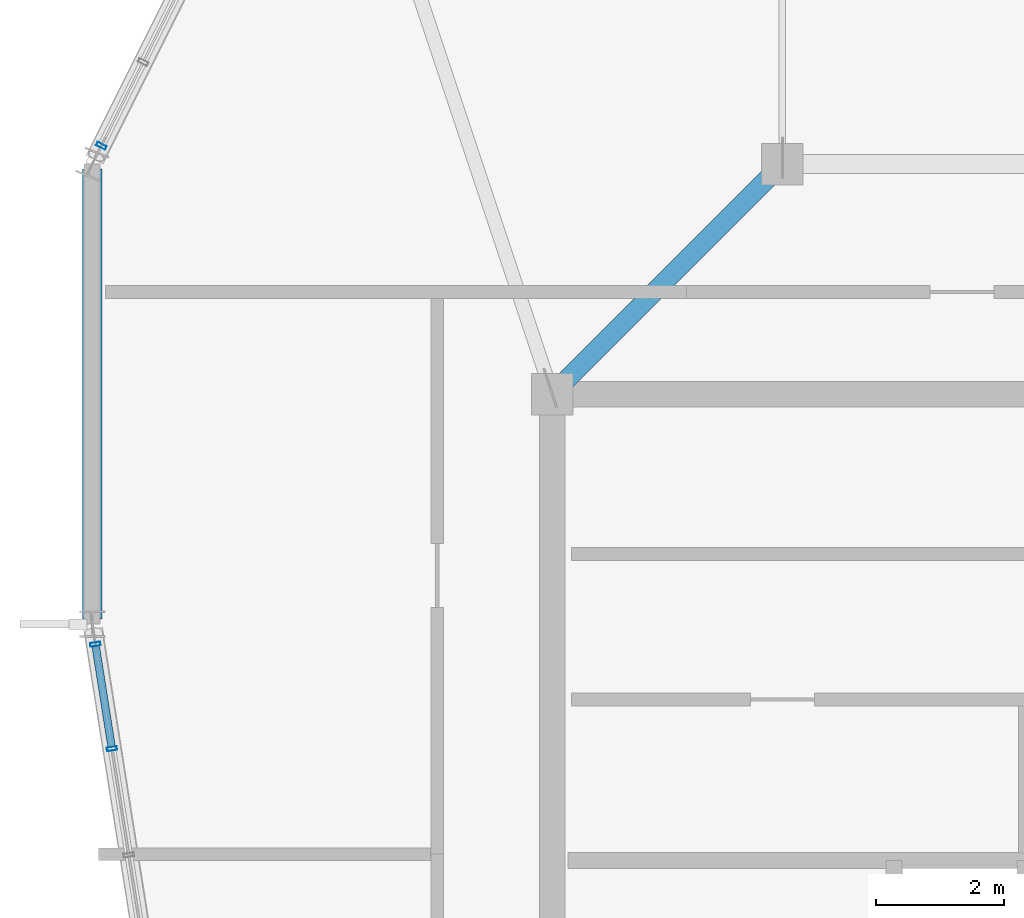
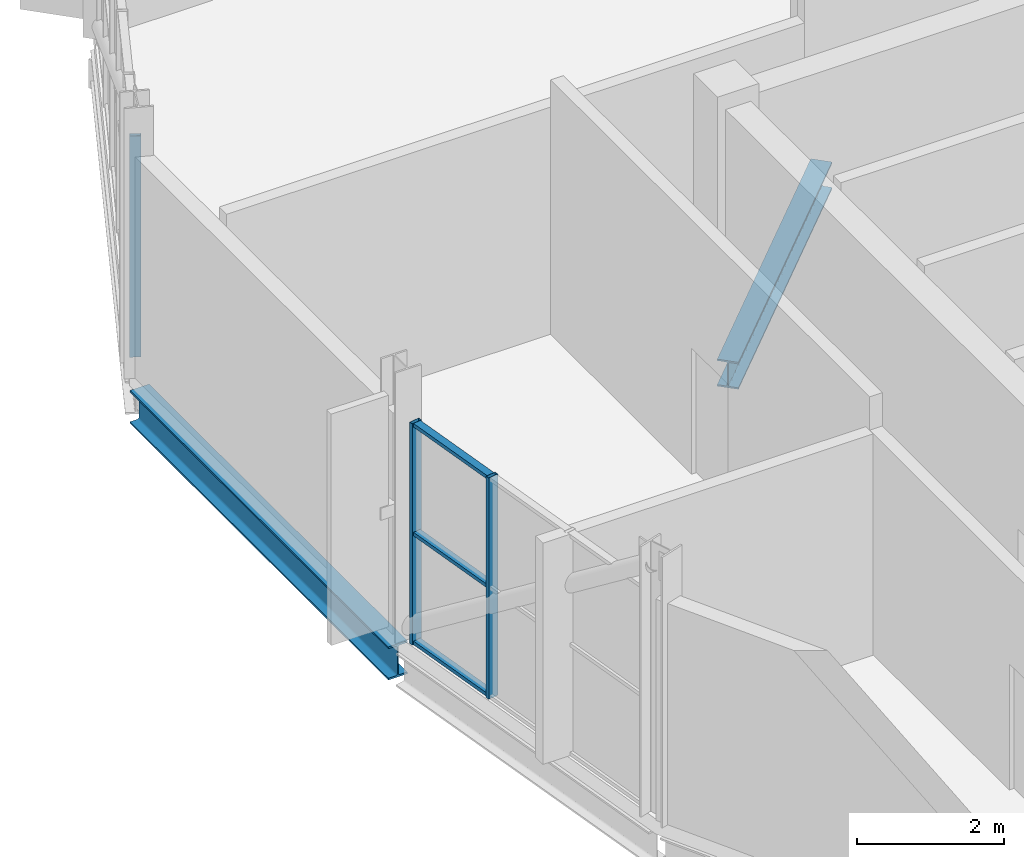
# One storey, part 7 of 22: 6 members, 2 beams, 2 elements without a shape of their own.
"""IFC4 building model written with IfcOpenShell, lengths in metres."""

import ifcopenshell
import ifcopenshell.guid

model = None  # the IFC model being written
_history = None  # IfcOwnerHistory: only IFC2X3 demands one
_inside = {}  # id of a spatial element -> (the spatial element, [elements in it])
_under = {}  # id of a project, library or spatial element -> (it, [spatial elements below it])
_declared = {}  # id of a project -> (the project, [libraries it declares])
_typed = {}  # id of a type object -> (the type object, [elements of that type])
_made_of = {}  # id of a material, layer set ... -> (it, [elements and type objects made of it])


def new_model(schema):
    """Start an empty IFC model of exactly this schema.

    Asked for "IFC4X3", IfcOpenShell would pick the latest addendum, in which some entities
    have other attributes; the version numbers below select the first issue.
    IFC2X3 requires an IfcOwnerHistory on every rooted entity: one is made here for all.
    """
    global model, _history
    if schema == "IFC4X3":
        model = ifcopenshell.file(schema_version=(4, 3, 0, 0))
    else:
        model = ifcopenshell.file(schema=schema)
    _inside.clear()
    _under.clear()
    _declared.clear()
    _typed.clear()
    _made_of.clear()
    _history = None
    if model.schema == "IFC2X3":
        org = make("IfcOrganization", Name="unknown")
        user = make(
            "IfcPersonAndOrganization",
            ThePerson=make("IfcPerson", FamilyName="unknown"),
            TheOrganization=org,
        )
        app = make(
            "IfcApplication",
            ApplicationDeveloper=org,
            Version="unknown",
            ApplicationFullName="unknown",
            ApplicationIdentifier="unknown",
        )
        _history = make(
            "IfcOwnerHistory",
            OwningUser=user,
            OwningApplication=app,
            ChangeAction="ADDED",
            CreationDate=0,
        )
    return model


def make(cls, **values):
    """One entity of the class cls with the attributes given. An attribute that is None is left unset."""
    return model.create_entity(
        cls, **{name: value for name, value in values.items() if value is not None}
    )


def rooted(cls, **values):
    """An entity with a GlobalId (a new one), such as an element, a storey or a relation."""
    return make(cls, GlobalId=ifcopenshell.guid.new(), OwnerHistory=_history, **values)


def si_unit(unit_type, name, prefix=None):
    """IfcSIUnit, for example si_unit("LENGTHUNIT", "METRE", prefix="MILLI")."""
    return make("IfcSIUnit", UnitType=unit_type, Prefix=prefix, Name=name)


def assignment(units):
    """IfcUnitAssignment: the units of a project."""
    return None if units is None else make("IfcUnitAssignment", Units=units)


def point(xyz):
    """IfcCartesianPoint."""
    return None if xyz is None else make("IfcCartesianPoint", Coordinates=xyz)


def direction(xyz):
    """IfcDirection."""
    return None if xyz is None else make("IfcDirection", DirectionRatios=xyz)


def frame(location, z_axis=None, x_axis=None):
    """IfcAxis2Placement3D, a coordinate frame: its origin and axes. An axis left out is left unset."""
    return make(
        "IfcAxis2Placement3D",
        Location=point(location),
        Axis=direction(z_axis),
        RefDirection=direction(x_axis),
    )


def frame_2d(location, x_axis=None):
    """IfcAxis2Placement2D, a coordinate frame in the plane: its origin and x axis."""
    return make(
        "IfcAxis2Placement2D", Location=point(location), RefDirection=direction(x_axis)
    )


def origin():
    """The frame at (0, 0, 0) with its axes left unset."""
    return frame((0.0, 0.0, 0.0))


def origin_2d():
    """The frame at (0, 0) in the plane with its x axis left unset."""
    return frame_2d((0.0, 0.0))


def place(relative_to, where):
    """IfcLocalPlacement: puts the frame where relative to a parent placement (None: the world)."""
    return make(
        "IfcLocalPlacement", PlacementRelTo=relative_to, RelativePlacement=where
    )


def context(
    kind, dimensions, precision=None, world=None, true_north=None, identifier=None
):
    """IfcGeometricRepresentationContext, for example the 3D "Model" context."""
    return make(
        "IfcGeometricRepresentationContext",
        ContextIdentifier=identifier,
        ContextType=kind,
        CoordinateSpaceDimension=dimensions,
        Precision=precision,
        WorldCoordinateSystem=world,
        TrueNorth=true_north,
    )


def subcontext(parent, identifier, kind, view, scale=None):
    """IfcGeometricRepresentationSubContext, for example "Body" below "Model"."""
    return make(
        "IfcGeometricRepresentationSubContext",
        ContextIdentifier=identifier,
        ContextType=kind,
        ParentContext=parent,
        TargetScale=scale,
        TargetView=view,
    )


def project(units=None, contexts=None):
    """IfcProject with its units and contexts."""
    return rooted(
        "IfcProject",
        Name="project",
        RepresentationContexts=contexts,
        UnitsInContext=assignment(units),
    )


def spatial(cls, under=None, at=None, **own):
    """A site, building, storey or space (cls), placed at a placement, below another one or the project."""
    s = rooted(cls, ObjectPlacement=at, **own)
    if under is not None:
        _under.setdefault(under.id(), (under, []))[1].append(s)
    return s


def profile(cls, at=None, kind="AREA", **sizes):
    """A parametric profile (cls). Its sizes go by their IFC names, for example OverallWidth=200.0."""
    return make(cls, ProfileType=kind, Position=at, **sizes)


def hollow_rectangle(**sizes):
    """IfcRectangleHollowProfileDef."""
    return profile("IfcRectangleHollowProfileDef", **sizes)


def i_section(**sizes):
    """IfcIShapeProfileDef."""
    return profile("IfcIShapeProfileDef", **sizes)


def extrude(swept, where, along, depth):
    """IfcExtrudedAreaSolid: the profile swept, set in the frame where, extruded along a direction by depth."""
    return make(
        "IfcExtrudedAreaSolid",
        SweptArea=swept,
        Position=where,
        ExtrudedDirection=direction(along),
        Depth=depth,
    )


def shape(context_of_items, identifier, shape_type, items):
    """IfcShapeRepresentation: the items that make up one representation, for example the "Body"."""
    return make(
        "IfcShapeRepresentation",
        ContextOfItems=context_of_items,
        RepresentationIdentifier=identifier,
        RepresentationType=shape_type,
        Items=items,
    )


def material(Name=None, Category=None):
    """IfcMaterial."""
    return make("IfcMaterial", Name=Name, Category=Category)


def layer(
    of_material, thickness, ventilated=None, Name=None, Category=None, Priority=None
):
    """IfcMaterialLayer: one layer of a wall or slab, of a material (None: an air gap)."""
    return make(
        "IfcMaterialLayer",
        Material=of_material,
        LayerThickness=thickness,
        IsVentilated=ventilated,
        Name=Name,
        Category=Category,
        Priority=Priority,
    )


def layer_set(layers, Name=None):
    """IfcMaterialLayerSet."""
    return make("IfcMaterialLayerSet", MaterialLayers=layers, LayerSetName=Name)


def material_profile(
    of_material, cross_section, Name=None, Category=None, Priority=None
):
    """IfcMaterialProfile: a cross section and its material."""
    return make(
        "IfcMaterialProfile",
        Name=Name,
        Material=of_material,
        Profile=cross_section,
        Priority=Priority,
        Category=Category,
    )


def profile_set(profiles, Name=None, composite=None):
    """IfcMaterialProfileSet."""
    return make(
        "IfcMaterialProfileSet",
        Name=Name,
        MaterialProfiles=profiles,
        CompositeProfile=composite,
    )


def made_of(thing, what):
    """Note that an element or type object is made of a material, layer set ...; save() writes the relation."""
    if what is not None:
        _made_of.setdefault(what.id(), (what, []))[1].append(thing)
    return thing


def type_object(cls, material=None, **own):
    """A type object (cls), such as IfcWallType, which elements share."""
    return made_of(rooted(cls, **own), material)


def element(
    cls,
    number,
    at=None,
    inside=None,
    cuts=None,
    type_object=None,
    material=None,
    context=None,
    identifier="Body",
    shape_type=None,
    held_by="IfcProductDefinitionShape",
    body=None,
    shapes=None,
    **own,
):
    """One element of the class cls, such as IfcWall. Its Tag is "e" and its number.

    at: its placement. inside: the storey or other place that contains it. cuts: it is an
    opening in that element (IfcRelVoidsElement). A single representation is given by context,
    identifier, shape_type and body (its items); several are given by shapes. held_by: the class
    of the entity that holds the representations. save() writes the other relations.
    """
    e = rooted(cls, Tag="e%d" % number, ObjectPlacement=at, **own)
    if body is not None:
        shapes = [shape(context, identifier, shape_type, body)]
    if shapes is not None:
        e.Representation = make(held_by, Representations=shapes)
    if inside is not None:
        _inside.setdefault(inside.id(), (inside, []))[1].append(e)
    if cuts is not None:
        rooted(
            "IfcRelVoidsElement", RelatingBuildingElement=cuts, RelatedOpeningElement=e
        )
    if type_object is not None:
        _typed.setdefault(type_object.id(), (type_object, []))[1].append(e)
    return made_of(e, material)


def aggregate(whole, parts):
    """IfcRelAggregates: a whole, such as a stair, and the parts it consists of."""
    return rooted("IfcRelAggregates", RelatingObject=whole, RelatedObjects=parts)


def save(model, path):
    """Write the relations noted so far, then the file.

    IfcRelAggregates (storeys below a building ...), IfcRelContainedInSpatialStructure (elements
    in a storey), IfcRelDefinesByType, IfcRelAssociatesMaterial and IfcRelDeclares: one each for
    every whole, place, type object, material and project.
    """
    for whole, parts in _under.values():
        aggregate(whole, parts)
    for where, things in _inside.values():
        rooted(
            "IfcRelContainedInSpatialStructure",
            RelatedElements=things,
            RelatingStructure=where,
        )
    for kind, things in _typed.values():
        rooted("IfcRelDefinesByType", RelatedObjects=things, RelatingType=kind)
    for what, things in _made_of.values():
        rooted("IfcRelAssociatesMaterial", RelatedObjects=things, RelatingMaterial=what)
    for by, libraries in _declared.values():
        rooted("IfcRelDeclares", RelatingContext=by, RelatedDefinitions=libraries)
    model.write(path)


model = new_model("IFC4")

# Units and contexts
model_context = context("Model", 3, precision=1e-05, world=origin(), true_north=direction((0.0, 1.0)))
body_context = subcontext(model_context, "Body", "Model", "MODEL_VIEW")
ifc_project = project(units=[si_unit("LENGTHUNIT", "METRE"), si_unit("AREAUNIT", "SQUARE_METRE"), si_unit("VOLUMEUNIT", "CUBIC_METRE"), si_unit("PLANEANGLEUNIT", "RADIAN"), si_unit("MASSUNIT", "GRAM", prefix="KILO")], contexts=[model_context])

# Site, building, storey
site_placement = place(None, origin())
site = spatial("IfcSite", under=ifc_project, at=site_placement, CompositionType="ELEMENT")
building_placement = place(site_placement, origin())
building = spatial("IfcBuilding", under=site, at=building_placement, Name="Solnavia Interchange Tower", CompositionType="ELEMENT")
storey_placement = place(building_placement, frame((0.0, 0.0, 317.699951171875)))
storey = spatial("IfcBuildingStorey", under=building, at=storey_placement, Name="C04", CompositionType="ELEMENT", Elevation=317.699951171875)

# Beam
ifc_material_1 = material(Name="Steel S460", Category="steel")
ifc_material_profile_1 = material_profile(ifc_material_1, i_section(OverallWidth=0.300048828125, OverallDepth=0.449951171875, WebThickness=0.013916015625, FlangeThickness=0.02587890625, FilletRadius=0.027099609375, at=origin_2d()), Name="HEB 450")
ifc_profile_set_1 = profile_set([ifc_material_profile_1], Name="Steel S460")
beam_type_1 = type_object("IfcBeamType", Name="Beam-Girder-HEB450", PredefinedType="BEAM", material=ifc_profile_set_1)
beam_1_placement = place(storey_placement, frame((17.943359375, 28.743408203125, -0.474853515625), z_axis=(-0.707106781187, -0.707106781187, 0.0), x_axis=(0.707106781187, -0.707106781187, 0.0)))
element("IfcBeam", 1, at=beam_1_placement, inside=storey, type_object=beam_type_1, Name="GRD-C04-CI04 Crown inner ring girder", PredefinedType="BEAM", context=body_context, shape_type="SweptSolid", body=[
    extrude(i_section(OverallWidth=0.300048828125, OverallDepth=0.449951171875, WebThickness=0.013916015625, FlangeThickness=0.02587890625, FilletRadius=0.027099609375, at=origin_2d()), origin(), (0.0, 0.0, 1.0), 4.93115234375),
])

# Curtain wall, member
ifc_material_2 = material(Name="Aluminium Alloy 6063-T6", Category="aluminium")
ifc_layer = layer(ifc_material_2, 0.179931640625)
ifc_layer_set = layer_set([ifc_layer], Name="Aluminium Alloy 6063-T6")
curtain_wall_type = type_object("IfcCurtainWallType", Name="CurtainWall-Crown-CTW6", PredefinedType="NOTDEFINED", material=ifc_layer_set)
curtain_wall_1_placement = place(storey_placement, origin())
curtain_wall_1 = element("IfcCurtainWall", 2, at=curtain_wall_1_placement, inside=storey, type_object=curtain_wall_type, Name="CTW-C04-R07 CTW-6 curtain wall", PredefinedType="NOTDEFINED")
ifc_material_profile_2 = material_profile(ifc_material_2, hollow_rectangle(XDim=0.06005859375, YDim=0.159912109375, WallThickness=0.00390625, at=origin_2d()), Name="ALU 160x60x4")
ifc_profile_set_2 = profile_set([ifc_material_profile_2], Name="Aluminium Alloy 6063-T6")
member_type_1 = type_object("IfcMemberType", Name="CW-Mullion-CWM-6", PredefinedType="MULLION", material=ifc_profile_set_2)
member_1_placement = place(storey_placement, frame((7.342529296875, 29.084716796875, 0.0), z_axis=(0.0, 0.0, 1.0), x_axis=(-0.447213595499, -0.894427191001, 0.0)))
member_1 = element("IfcMember", 3, at=member_1_placement, type_object=member_type_1, Name="CTW-6 mullion 6", PredefinedType="MULLION", context=body_context, shape_type="SweptSolid", body=[
    extrude(hollow_rectangle(XDim=0.06005859375, YDim=0.159912109375, WallThickness=0.00390625, at=origin_2d()), origin(), (0.0, 0.0, 1.0), 3.679931640625),
])
aggregate(curtain_wall_1, [member_1])

# Curtain wall, members
curtain_wall_2_placement = place(storey_placement, origin())
curtain_wall_2 = element("IfcCurtainWall", 4, at=curtain_wall_2_placement, inside=storey, type_object=curtain_wall_type, Name="CTW-C04-R09 CTW-6 curtain wall", PredefinedType="NOTDEFINED")
member_2_placement = place(storey_placement, frame((7.249755859375, 21.285400390625, 0.0), z_axis=(0.0, 0.0, 1.0), x_axis=(0.156456312485, -0.987684880052, 0.0)))
member_2 = element("IfcMember", 5, at=member_2_placement, type_object=member_type_1, Name="CTW-6 mullion 1", PredefinedType="MULLION", context=body_context, shape_type="SweptSolid", body=[
    extrude(hollow_rectangle(XDim=0.06005859375, YDim=0.159912109375, WallThickness=0.00390625, at=origin_2d()), origin(), (0.0, 0.0, 1.0), 3.679931640625),
])
member_3_placement = place(storey_placement, frame((7.5087890625, 19.651123046875, 0.0), z_axis=(0.0, 0.0, 1.0), x_axis=(0.156456312485, -0.987684880052, 0.0)))
member_3 = element("IfcMember", 6, at=member_3_placement, type_object=member_type_1, Name="CTW-6 mullion 2", PredefinedType="MULLION", context=body_context, shape_type="SweptSolid", body=[
    extrude(hollow_rectangle(XDim=0.06005859375, YDim=0.159912109375, WallThickness=0.00390625, at=origin_2d()), origin(), (0.0, 0.0, 1.0), 3.679931640625),
])
ifc_material_profile_3 = material_profile(ifc_material_2, hollow_rectangle(XDim=0.06005859375, YDim=0.1201171875, WallThickness=0.00390625, at=origin_2d()), Name="ALU 120x60x4")
ifc_profile_set_3 = profile_set([ifc_material_profile_3], Name="Aluminium Alloy 6063-T6")
member_type_2 = type_object("IfcMemberType", Name="CW-Transom-CWT-6", PredefinedType="USERDEFINED", material=ifc_profile_set_3)
member_4_placement = place(storey_placement, frame((7.25439453125, 21.255859375, 0.030029296875), z_axis=(0.156449934884, -0.987685890288, 0.0), x_axis=(0.0, 0.0, 1.0)))
member_4 = element("IfcMember", 7, at=member_4_placement, type_object=member_type_2, Name="CTW-6 transom 1.1", ObjectType="TRANSOM", PredefinedType="USERDEFINED", context=body_context, shape_type="SweptSolid", body=[
    extrude(hollow_rectangle(XDim=0.06005859375, YDim=0.1201171875, WallThickness=0.00390625, at=origin_2d()), origin(), (0.0, 0.0, 1.0), 1.5947265625),
])
member_5_placement = place(storey_placement, frame((7.25439453125, 21.255859375, 1.840087890625), z_axis=(0.156449934884, -0.987685890288, 0.0), x_axis=(0.0, 0.0, 1.0)))
member_5 = element("IfcMember", 8, at=member_5_placement, type_object=member_type_2, Name="CTW-6 transom 1.2", ObjectType="TRANSOM", PredefinedType="USERDEFINED", context=body_context, shape_type="SweptSolid", body=[
    extrude(hollow_rectangle(XDim=0.06005859375, YDim=0.1201171875, WallThickness=0.00390625, at=origin_2d()), origin(), (0.0, 0.0, 1.0), 1.5947265625),
])
member_6_placement = place(storey_placement, frame((7.25439453125, 21.255859375, 3.650146484375), z_axis=(0.156449934884, -0.987685890288, 0.0), x_axis=(0.0, 0.0, 1.0)))
member_6 = element("IfcMember", 9, at=member_6_placement, type_object=member_type_2, Name="CTW-6 transom 1.3", ObjectType="TRANSOM", PredefinedType="USERDEFINED", context=body_context, shape_type="SweptSolid", body=[
    extrude(hollow_rectangle(XDim=0.06005859375, YDim=0.1201171875, WallThickness=0.00390625, at=origin_2d()), origin(), (0.0, 0.0, 1.0), 1.5947265625),
])
aggregate(curtain_wall_2, [member_2, member_3, member_4, member_5, member_6])

# Beam
ifc_material_profile_4 = material_profile(ifc_material_1, i_section(OverallWidth=0.300048828125, OverallDepth=0.550048828125, WebThickness=0.014892578125, FlangeThickness=0.029052734375, FilletRadius=0.027099609375, at=origin_2d()), Name="HEB 550")
ifc_profile_set_4 = profile_set([ifc_material_profile_4], Name="Steel S460")
beam_type_2 = type_object("IfcBeamType", Name="CrownFrame-Ring-HEB550", PredefinedType="BEAM", material=ifc_profile_set_4)
beam_2_placement = place(storey_placement, frame((7.199951171875, 28.719970703125, -0.52490234375), z_axis=(0.0, -1.0, 0.0), x_axis=(1.0, 0.0, 0.0)))
element("IfcBeam", 10, at=beam_2_placement, inside=storey, type_object=beam_type_2, Name="GRD-C04-CR08 CROWN FRAME outer collar ring beam", PredefinedType="BEAM", context=body_context, shape_type="SweptSolid", body=[
    extrude(i_section(OverallWidth=0.300048828125, OverallDepth=0.550048828125, WebThickness=0.014892578125, FlangeThickness=0.029052734375, FilletRadius=0.027099609375, at=origin_2d()), origin(), (0.0, 0.0, 1.0), 7.0400390625),
])

save(model, "model.ifc")
